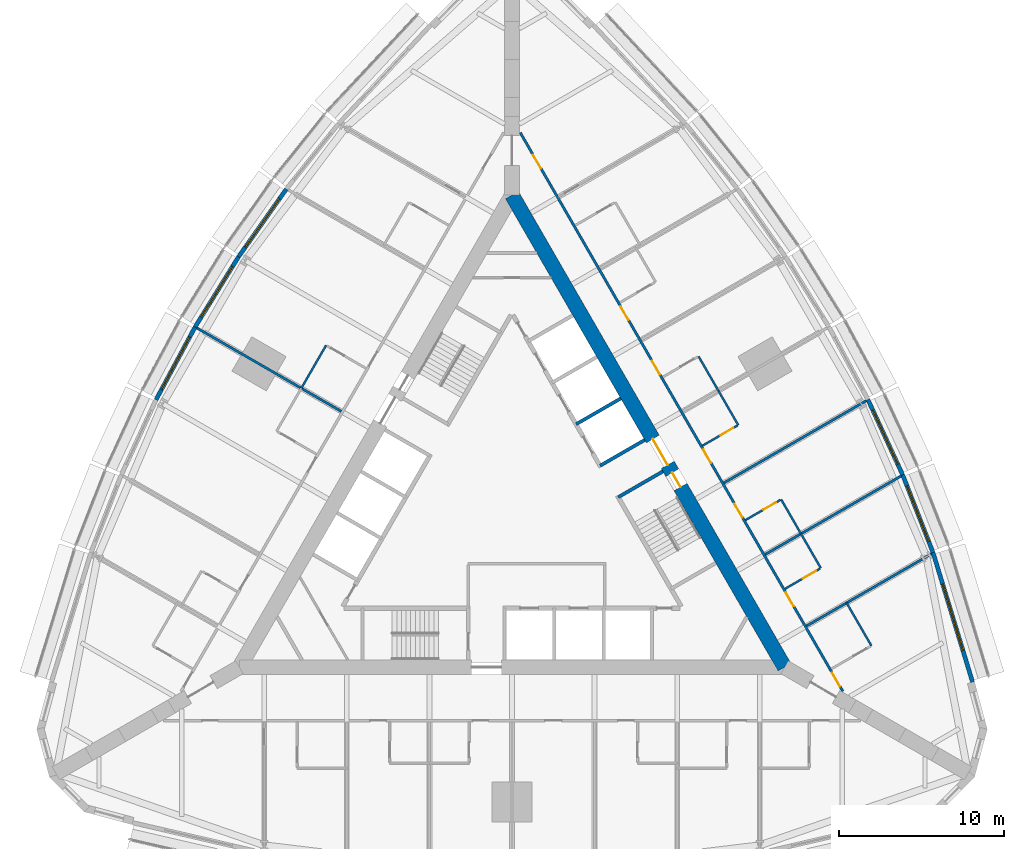
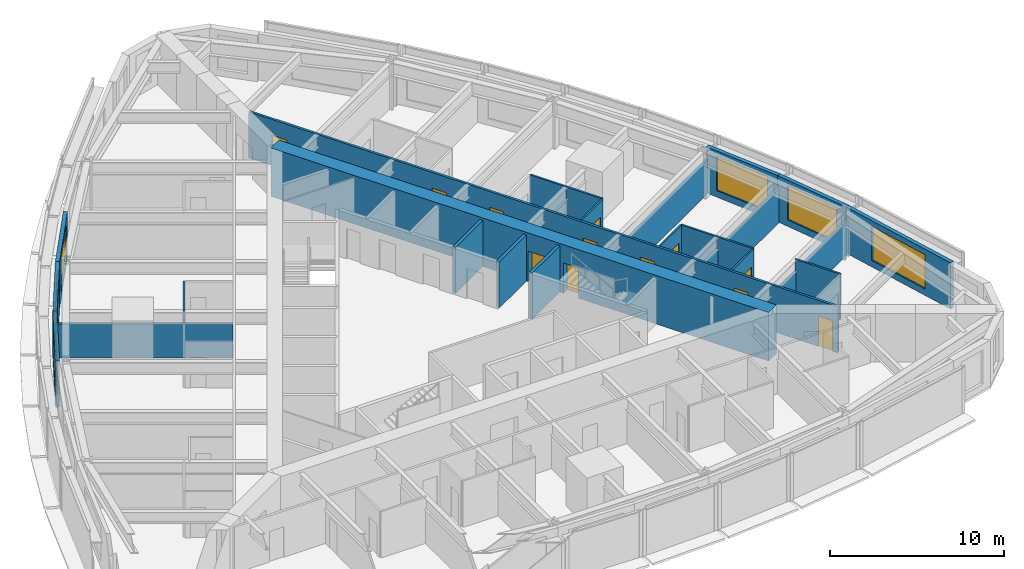
# One storey, part 11 of 14: 24 walls, 12 doors, 6 windows, 18 openings.
"""IFC4 building model written with IfcOpenShell, lengths in metres."""

from ifc_helpers import new_model, si_unit, direction, frame, frame_2d, origin, place, context, subcontext, project, spatial, rectangle, extrude, material, layer, layer_set, type_object, element, fill, save


model = new_model("IFC4")

# Units and contexts
model_context = context("Model", 3, precision=1e-05, world=origin(), true_north=direction((0.0, 1.0)))
body_context = subcontext(model_context, "Body", "Model", "MODEL_VIEW")
ifc_project = project(units=[si_unit("LENGTHUNIT", "METRE"), si_unit("AREAUNIT", "SQUARE_METRE"), si_unit("VOLUMEUNIT", "CUBIC_METRE"), si_unit("PLANEANGLEUNIT", "RADIAN"), si_unit("MASSUNIT", "GRAM", prefix="KILO")], contexts=[model_context])

# Site, building, storey
site_placement = place(None, origin())
site = spatial("IfcSite", under=ifc_project, at=site_placement, CompositionType="ELEMENT")
building_placement = place(site_placement, origin())
building = spatial("IfcBuilding", under=site, at=building_placement, Name="Trikona Tower", CompositionType="ELEMENT")
storey_placement = place(building_placement, frame((0.0, 0.0, 31.89990234375)))
storey = spatial("IfcBuildingStorey", under=building, at=storey_placement, Name="L06", CompositionType="ELEMENT", Elevation=31.89990234375)

# Walls
ifc_material_1 = material(Name="Metal stud and cement board", Category="gypsum")
ifc_layer_1 = layer(ifc_material_1, 0.1201171875)
ifc_layer_set_1 = layer_set([ifc_layer_1], Name="Bathroom wall 120")
wall_type_1 = type_object("IfcWallType", Name="Bathroom wall 120", PredefinedType="PLUMBINGWALL", material=ifc_layer_set_1)
wall_1_placement = place(storey_placement, frame((21.75341796875, -8.225341796875, 0.0), z_axis=(0.0, 0.0, 1.0), x_axis=(-0.499990139034, 0.866031096941, 0.0)))
element("IfcWall", 1, at=wall_1_placement, inside=storey, type_object=wall_type_1, Name="Bathroom wall 0607", PredefinedType="PLUMBINGWALL", context=body_context, shape_type="SweptSolid", body=[
    extrude(rectangle(XDim=3.0, YDim=0.1201171875, at=frame_2d((1.5, 0.0))), origin(), (0.0, 0.0, 1.0), 3.235107421875),
])
wall_2_placement = place(storey_placement, frame((18.693603515625, -3.525634765625, 0.0), z_axis=(0.0, 0.0, 1.0), x_axis=(-0.500033551112, 0.866006032174, 0.0)))
element("IfcWall", 2, at=wall_2_placement, inside=storey, type_object=wall_type_1, Name="Bathroom wall 0608", PredefinedType="PLUMBINGWALL", context=body_context, shape_type="SweptSolid", body=[
    extrude(rectangle(XDim=2.400146484375, YDim=0.1201171875, at=frame_2d((1.2001953125, 0.0))), origin(), (0.0, 0.0, 1.0), 3.235107421875),
])

# Wall, opening, door
wall_3_placement = place(storey_placement, frame((16.528564453125, -4.775634765625, 0.0), z_axis=(0.0, 0.0, 1.0), x_axis=(0.866023955769, 0.500002508028, 0.0)))
wall_3 = element("IfcWall", 3, at=wall_3_placement, inside=storey, type_object=wall_type_1, Name="Bathroom wall 0608", PredefinedType="PLUMBINGWALL", context=body_context, shape_type="SweptSolid", body=[
    extrude(rectangle(XDim=2.43994140625, YDim=0.1201171875, at=frame_2d((1.219970703125, 0.0))), origin(), (0.0, 0.0, 1.0), 3.235107421875),
])
opening_1_placement = place(wall_3_placement, frame((1.25, 0.0, 0.0)))
opening_1 = element("IfcOpeningElement", 4, at=opening_1_placement, cuts=wall_3, Name="Opening D2", PredefinedType="OPENING", context=body_context, shape_type="SweptSolid", body=[
    extrude(rectangle(XDim=0.89990234375, YDim=2.1298828125, at=frame_2d((0.449951171875, 1.06494140625))), frame((0.0, 0.070068359375, 0.0), z_axis=(0.0, -1.0, 0.0), x_axis=(1.0, 0.0, 0.0)), (0.0, 0.0, 1.0), 0.14013671875),
])
ifc_material_2 = material(Name="Steel door frame with solid-core timber leaf", Category="steel")
door_type_1 = type_object("IfcDoorType", Name="Bathroom door 900x2130", OperationType="SLIDING_TO_LEFT", PredefinedType="DOOR", material=ifc_material_2)
door_1_placement = place(opening_1_placement, origin())
door_1 = element("IfcDoor", 5, at=door_1_placement, inside=storey, type_object=door_type_1, Name="Bathroom door 0608", OperationType="SLIDING_TO_LEFT", OverallHeight=2.1298828125, OverallWidth=0.89990234375, PredefinedType="DOOR", context=body_context, shape_type="SweptSolid", body=[
    extrude(rectangle(XDim=0.89990234375, YDim=2.1298828125, at=frame_2d((0.449951171875, 1.06494140625))), frame((0.0, 0.02490234375, 0.0), z_axis=(0.0, -1.0, 0.0), x_axis=(1.0, 0.0, 0.0)), (0.0, 0.0, 1.0), 0.050048828125),
])
fill(opening_1, door_1)

# Wall
wall_4_placement = place(storey_placement, frame((17.493408203125, -1.447021484375, 0.0), z_axis=(0.0, 0.0, 1.0), x_axis=(-0.500001309137, 0.866024647952, 0.0)))
element("IfcWall", 6, at=wall_4_placement, inside=storey, type_object=wall_type_1, Name="Bathroom wall 0609", PredefinedType="PLUMBINGWALL", context=body_context, shape_type="SweptSolid", body=[
    extrude(rectangle(XDim=2.39990234375, YDim=0.1201171875, at=frame_2d((1.199951171875, 0.0))), origin(), (0.0, 0.0, 1.0), 3.235107421875),
])

# Wall, opening, door
wall_5_placement = place(storey_placement, frame((14.12841796875, -0.61865234375, 0.0), z_axis=(0.0, 0.0, 1.0), x_axis=(0.866048967903, 0.499959183527, 0.0)))
wall_5 = element("IfcWall", 7, at=wall_5_placement, inside=storey, type_object=wall_type_1, Name="Bathroom wall 0609", PredefinedType="PLUMBINGWALL", context=body_context, shape_type="SweptSolid", body=[
    extrude(rectangle(XDim=2.440185546875, YDim=0.1201171875, at=frame_2d((1.22021484375, 0.0))), origin(), (0.0, 0.0, 1.0), 3.235107421875),
])
opening_2_placement = place(wall_5_placement, frame((1.25, 0.0, 0.0)))
opening_2 = element("IfcOpeningElement", 8, at=opening_2_placement, cuts=wall_5, Name="Opening D2", PredefinedType="OPENING", context=body_context, shape_type="SweptSolid", body=[
    extrude(rectangle(XDim=0.89990234375, YDim=2.1298828125, at=frame_2d((0.449951171875, 1.06494140625))), frame((0.0, 0.070068359375, 0.0), z_axis=(0.0, -1.0, 0.0), x_axis=(1.0, 0.0, 0.0)), (0.0, 0.0, 1.0), 0.14013671875),
])
door_2_placement = place(opening_2_placement, origin())
door_2 = element("IfcDoor", 9, at=door_2_placement, inside=storey, type_object=door_type_1, Name="Bathroom door 0609", OperationType="SLIDING_TO_LEFT", OverallHeight=2.1298828125, OverallWidth=0.89990234375, PredefinedType="DOOR", context=body_context, shape_type="SweptSolid", body=[
    extrude(rectangle(XDim=0.89990234375, YDim=2.1298828125, at=frame_2d((0.449951171875, 1.06494140625))), frame((0.0, 0.02490234375, 0.0), z_axis=(0.0, -1.0, 0.0), x_axis=(1.0, 0.0, 0.0)), (0.0, 0.0, 1.0), 0.050048828125),
])
fill(opening_2, door_2)

# Wall
wall_6_placement = place(storey_placement, frame((13.693603515625, 5.134765625, 0.0), z_axis=(0.0, 0.0, 1.0), x_axis=(-0.500077600433, 0.865980596518, 0.0)))
element("IfcWall", 10, at=wall_6_placement, inside=storey, type_object=wall_type_1, Name="Bathroom wall 0610", PredefinedType="PLUMBINGWALL", context=body_context, shape_type="SweptSolid", body=[
    extrude(rectangle(XDim=2.39990234375, YDim=0.1201171875, at=frame_2d((1.199951171875, 0.0))), origin(), (0.0, 0.0, 1.0), 3.235107421875),
])

# Wall, opening, door
wall_7_placement = place(storey_placement, frame((11.528564453125, 3.884765625, 0.0), z_axis=(0.0, 0.0, 1.0), x_axis=(0.866023955769, 0.500002508028, 0.0)))
wall_7 = element("IfcWall", 11, at=wall_7_placement, inside=storey, type_object=wall_type_1, Name="Bathroom wall 0610", PredefinedType="PLUMBINGWALL", context=body_context, shape_type="SweptSolid", body=[
    extrude(rectangle(XDim=2.43994140625, YDim=0.1201171875, at=frame_2d((1.219970703125, 0.0))), origin(), (0.0, 0.0, 1.0), 3.235107421875),
])
opening_3_placement = place(wall_7_placement, frame((1.25, 0.0, 0.0)))
opening_3 = element("IfcOpeningElement", 12, at=opening_3_placement, cuts=wall_7, Name="Opening D2", PredefinedType="OPENING", context=body_context, shape_type="SweptSolid", body=[
    extrude(rectangle(XDim=0.89990234375, YDim=2.1298828125, at=frame_2d((0.449951171875, 1.06494140625))), frame((0.0, 0.070068359375, 0.0), z_axis=(0.0, -1.0, 0.0), x_axis=(1.0, 0.0, 0.0)), (0.0, 0.0, 1.0), 0.14013671875),
])
door_3_placement = place(opening_3_placement, origin())
door_3 = element("IfcDoor", 13, at=door_3_placement, inside=storey, type_object=door_type_1, Name="Bathroom door 0610", OperationType="SLIDING_TO_LEFT", OverallHeight=2.1298828125, OverallWidth=0.89990234375, PredefinedType="DOOR", context=body_context, shape_type="SweptSolid", body=[
    extrude(rectangle(XDim=0.89990234375, YDim=2.1298828125, at=frame_2d((0.449951171875, 1.06494140625))), frame((0.0, 0.02490234375, 0.0), z_axis=(0.0, -1.0, 0.0), x_axis=(1.0, 0.0, 0.0)), (0.0, 0.0, 1.0), 0.050048828125),
])
fill(opening_3, door_3)

# Walls
wall_8_placement = place(storey_placement, frame((12.493408203125, 7.213134765625, 0.0), z_axis=(0.0, 0.0, 1.0), x_axis=(-0.500001309137, 0.866024647952, 0.0)))
element("IfcWall", 14, at=wall_8_placement, inside=storey, type_object=wall_type_1, Name="Bathroom wall 0611", PredefinedType="PLUMBINGWALL", context=body_context, shape_type="SweptSolid", body=[
    extrude(rectangle(XDim=2.39990234375, YDim=0.1201171875, at=frame_2d((1.199951171875, 0.0))), origin(), (0.0, 0.0, 1.0), 3.235107421875),
])
wall_9_placement = place(storey_placement, frame((-11.25341796875, 9.961181640625, 0.0), z_axis=(0.0, 0.0, 1.0), x_axis=(-0.499990139034, -0.866031096941, 0.0)))
element("IfcWall", 15, at=wall_9_placement, inside=storey, type_object=wall_type_1, Name="Bathroom wall 0615", PredefinedType="PLUMBINGWALL", context=body_context, shape_type="SweptSolid", body=[
    extrude(rectangle(XDim=3.0, YDim=0.1201171875, at=frame_2d((1.5, 0.0))), origin(), (0.0, 0.0, 1.0), 3.235107421875),
])

# Wall, openings, doors
ifc_material_3 = material(Name="Concrete f'c 10000 psi", Category="concrete")
ifc_layer_2 = layer(ifc_material_3, 0.89990234375)
ifc_layer_set_2 = layer_set([ifc_layer_2], Name="Core wall 900")
wall_type_2 = type_object("IfcWallType", Name="Core wall 900", PredefinedType="SHEAR", material=ifc_layer_set_2)
wall_10_placement = place(storey_placement, frame((16.5, -9.5263671875, 0.0), z_axis=(0.0, 0.0, 1.0), x_axis=(-0.499999749417, 0.866025548458, 0.0)))
wall_10 = element("IfcWall", 16, at=wall_10_placement, inside=storey, type_object=wall_type_2, Name="Core wall B", PredefinedType="SHEAR", context=body_context, shape_type="SweptSolid", body=[
    extrude(rectangle(XDim=33.0, YDim=0.89990234375, at=frame_2d((16.5, 0.0))), origin(), (0.0, 0.0, 1.0), 3.400146484375),
])
opening_4_placement = place(wall_10_placement, frame((14.14990234375, 0.0, 0.0)))
opening_4 = element("IfcOpeningElement", 17, at=opening_4_placement, cuts=wall_10, Name="Opening D6", PredefinedType="OPENING", context=body_context, shape_type="SweptSolid", body=[
    extrude(rectangle(XDim=1.800048828125, YDim=2.1298828125, at=frame_2d((0.89990234375, 1.06494140625))), frame((0.0, 0.4599609375, 0.0), z_axis=(0.0, -1.0, 0.0), x_axis=(1.0, 0.0, 0.0)), (0.0, 0.0, 1.0), 0.919921875),
])
opening_5_placement = place(wall_10_placement, frame((12.60009765625, 0.0, 0.0)))
opening_5 = element("IfcOpeningElement", 18, at=opening_5_placement, cuts=wall_10, Name="Opening D5", PredefinedType="OPENING", context=body_context, shape_type="SweptSolid", body=[
    extrude(rectangle(XDim=1.0, YDim=2.1298828125, at=frame_2d((0.5, 1.06494140625))), frame((0.0, 0.4599609375, 0.0), z_axis=(0.0, -1.0, 0.0), x_axis=(1.0, 0.0, 0.0)), (0.0, 0.0, 1.0), 0.919921875),
])
ifc_material_4 = material(Name="Hollow metal door and frame", Category="steel")
door_type_2 = type_object("IfcDoorType", Name="Lobby door pair 1800x2130", OperationType="DOUBLE_DOOR_SINGLE_SWING", PredefinedType="DOOR", material=ifc_material_4)
door_4_placement = place(opening_4_placement, origin())
door_4 = element("IfcDoor", 19, at=door_4_placement, inside=storey, type_object=door_type_2, Name="Lift lobby door B", OperationType="DOUBLE_DOOR_SINGLE_SWING", OverallHeight=2.1298828125, OverallWidth=1.800048828125, PredefinedType="DOOR", context=body_context, shape_type="SweptSolid", body=[
    extrude(rectangle(XDim=1.800048828125, YDim=2.1298828125, at=frame_2d((0.89990234375, 1.06494140625))), frame((0.0, 0.02490234375, 0.0), z_axis=(0.0, -1.0, 0.0), x_axis=(1.0, 0.0, 0.0)), (0.0, 0.0, 1.0), 0.050048828125),
])
fill(opening_4, door_4)
ifc_material_5 = material(Name="Hollow metal door and frame", Category="steel")
door_type_3 = type_object("IfcDoorType", Name="Stair door 1000x2130", OperationType="SINGLE_SWING_LEFT", PredefinedType="DOOR", material=ifc_material_5)
door_5_placement = place(opening_5_placement, origin())
door_5 = element("IfcDoor", 20, at=door_5_placement, inside=storey, type_object=door_type_3, Name="Stair B door", OperationType="SINGLE_SWING_RIGHT", OverallHeight=2.1298828125, OverallWidth=1.0, PredefinedType="DOOR", context=body_context, shape_type="SweptSolid", body=[
    extrude(rectangle(XDim=1.0, YDim=2.1298828125, at=frame_2d((0.5, 1.06494140625))), frame((0.0, 0.02490234375, 0.0), z_axis=(0.0, -1.0, 0.0), x_axis=(1.0, 0.0, 0.0)), (0.0, 0.0, 1.0), 0.050048828125),
])
fill(opening_5, door_5)

ifc_material_6 = material(Name="Metal stud and gypsum board, 1-hour", Category="gypsum")
ifc_layer_3 = layer(ifc_material_6, 0.14990234375)
ifc_layer_set_3 = layer_set([ifc_layer_3], Name="Corridor wall 150")
wall_type_3 = type_object("IfcWallType", Name="Corridor wall 150", PredefinedType="PARTITIONING", material=ifc_layer_set_3)
wall_11_placement = place(storey_placement, frame((20.027099609375, -10.9853515625, 0.0), z_axis=(0.0, 0.0, 1.0), x_axis=(-0.500001677587, 0.866024435227, 0.0)))
wall_11 = element("IfcWall", 21, at=wall_11_placement, inside=storey, type_object=wall_type_3, Name="Corridor wall L06-2", PredefinedType="PARTITIONING", context=body_context, shape_type="SweptSolid", body=[
    extrude(rectangle(XDim=39.053955078125, YDim=0.14990234375, at=frame_2d((19.52685546875, 0.0))), origin(), (0.0, 0.0, 1.0), 3.235107421875),
])
opening_6_placement = place(wall_11_placement, frame((0.35205078125, 0.0, 0.0)))
opening_6 = element("IfcOpeningElement", 22, at=opening_6_placement, cuts=wall_11, Name="Opening D1", PredefinedType="OPENING", context=body_context, shape_type="SweptSolid", body=[
    extrude(rectangle(XDim=0.949951171875, YDim=2.1298828125, at=frame_2d((0.47509765625, 1.06494140625))), frame((0.0, 0.0849609375, 0.0), z_axis=(0.0, -1.0, 0.0), x_axis=(1.0, 0.0, 0.0)), (0.0, 0.0, 1.0), 0.169921875),
])
opening_7_placement = place(wall_11_placement, frame((5.951904296875, 0.0, 0.0)))
opening_7 = element("IfcOpeningElement", 23, at=opening_7_placement, cuts=wall_11, Name="Opening D1", PredefinedType="OPENING", context=body_context, shape_type="SweptSolid", body=[
    extrude(rectangle(XDim=0.949951171875, YDim=2.1298828125, at=frame_2d((0.47509765625, 1.06494140625))), frame((0.0, 0.0849609375, 0.0), z_axis=(0.0, -1.0, 0.0), x_axis=(1.0, 0.0, 0.0)), (0.0, 0.0, 1.0), 0.169921875),
])
opening_8_placement = place(wall_11_placement, frame((12.152099609375, 0.0, 0.0)))
opening_8 = element("IfcOpeningElement", 24, at=opening_8_placement, cuts=wall_11, Name="Opening D1", PredefinedType="OPENING", context=body_context, shape_type="SweptSolid", body=[
    extrude(rectangle(XDim=0.949951171875, YDim=2.1298828125, at=frame_2d((0.47509765625, 1.06494140625))), frame((0.0, 0.0849609375, 0.0), z_axis=(0.0, -1.0, 0.0), x_axis=(1.0, 0.0, 0.0)), (0.0, 0.0, 1.0), 0.169921875),
])
opening_9_placement = place(wall_11_placement, frame((15.951904296875, 0.0, 0.0)))
opening_9 = element("IfcOpeningElement", 25, at=opening_9_placement, cuts=wall_11, Name="Opening D1", PredefinedType="OPENING", context=body_context, shape_type="SweptSolid", body=[
    extrude(rectangle(XDim=0.949951171875, YDim=2.1298828125, at=frame_2d((0.47509765625, 1.06494140625))), frame((0.0, 0.0849609375, 0.0), z_axis=(0.0, -1.0, 0.0), x_axis=(1.0, 0.0, 0.0)), (0.0, 0.0, 1.0), 0.169921875),
])
opening_10_placement = place(wall_11_placement, frame((22.152099609375, 0.0, 0.0)))
opening_10 = element("IfcOpeningElement", 26, at=opening_10_placement, cuts=wall_11, Name="Opening D1", PredefinedType="OPENING", context=body_context, shape_type="SweptSolid", body=[
    extrude(rectangle(XDim=0.949951171875, YDim=2.1298828125, at=frame_2d((0.47509765625, 1.06494140625))), frame((0.0, 0.0849609375, 0.0), z_axis=(0.0, -1.0, 0.0), x_axis=(1.0, 0.0, 0.0)), (0.0, 0.0, 1.0), 0.169921875),
])
opening_11_placement = place(wall_11_placement, frame((25.951904296875, 0.0, 0.0)))
opening_11 = element("IfcOpeningElement", 27, at=opening_11_placement, cuts=wall_11, Name="Opening D1", PredefinedType="OPENING", context=body_context, shape_type="SweptSolid", body=[
    extrude(rectangle(XDim=0.949951171875, YDim=2.1298828125, at=frame_2d((0.47509765625, 1.06494140625))), frame((0.0, 0.0849609375, 0.0), z_axis=(0.0, -1.0, 0.0), x_axis=(1.0, 0.0, 0.0)), (0.0, 0.0, 1.0), 0.169921875),
])
opening_12_placement = place(wall_11_placement, frame((36.545654296875, 0.0, 0.0)))
opening_12 = element("IfcOpeningElement", 28, at=opening_12_placement, cuts=wall_11, Name="Opening D1", PredefinedType="OPENING", context=body_context, shape_type="SweptSolid", body=[
    extrude(rectangle(XDim=0.949951171875, YDim=2.1298828125, at=frame_2d((0.47509765625, 1.06494140625))), frame((0.0, 0.0849609375, 0.0), z_axis=(0.0, -1.0, 0.0), x_axis=(1.0, 0.0, 0.0)), (0.0, 0.0, 1.0), 0.169921875),
])
ifc_material_7 = material(Name="Steel door frame with solid-core timber leaf", Category="steel")
door_type_4 = type_object("IfcDoorType", Name="Guest room door 950x2130", OperationType="SINGLE_SWING_LEFT", PredefinedType="DOOR", material=ifc_material_7)
door_6_placement = place(opening_6_placement, origin())
door_6 = element("IfcDoor", 29, at=door_6_placement, inside=storey, type_object=door_type_4, Name="Room door 0607", OperationType="SINGLE_SWING_LEFT", OverallHeight=2.1298828125, OverallWidth=0.949951171875, PredefinedType="DOOR", context=body_context, shape_type="SweptSolid", body=[
    extrude(rectangle(XDim=0.949951171875, YDim=2.1298828125, at=frame_2d((0.47509765625, 1.06494140625))), frame((0.0, 0.02490234375, 0.0), z_axis=(0.0, -1.0, 0.0), x_axis=(1.0, 0.0, 0.0)), (0.0, 0.0, 1.0), 0.050048828125),
])
fill(opening_6, door_6)
door_7_placement = place(opening_7_placement, origin())
door_7 = element("IfcDoor", 30, at=door_7_placement, inside=storey, type_object=door_type_4, Name="Room door 0608", OperationType="SINGLE_SWING_RIGHT", OverallHeight=2.1298828125, OverallWidth=0.949951171875, PredefinedType="DOOR", context=body_context, shape_type="SweptSolid", body=[
    extrude(rectangle(XDim=0.949951171875, YDim=2.1298828125, at=frame_2d((0.47509765625, 1.06494140625))), frame((0.0, 0.02490234375, 0.0), z_axis=(0.0, -1.0, 0.0), x_axis=(1.0, 0.0, 0.0)), (0.0, 0.0, 1.0), 0.050048828125),
])
fill(opening_7, door_7)
door_8_placement = place(opening_8_placement, origin())
door_8 = element("IfcDoor", 31, at=door_8_placement, inside=storey, type_object=door_type_4, Name="Room door 0609", OperationType="SINGLE_SWING_LEFT", OverallHeight=2.1298828125, OverallWidth=0.949951171875, PredefinedType="DOOR", context=body_context, shape_type="SweptSolid", body=[
    extrude(rectangle(XDim=0.949951171875, YDim=2.1298828125, at=frame_2d((0.47509765625, 1.06494140625))), frame((0.0, 0.02490234375, 0.0), z_axis=(0.0, -1.0, 0.0), x_axis=(1.0, 0.0, 0.0)), (0.0, 0.0, 1.0), 0.050048828125),
])
fill(opening_8, door_8)
door_9_placement = place(opening_9_placement, origin())
door_9 = element("IfcDoor", 32, at=door_9_placement, inside=storey, type_object=door_type_4, Name="Room door 0610", OperationType="SINGLE_SWING_RIGHT", OverallHeight=2.1298828125, OverallWidth=0.949951171875, PredefinedType="DOOR", context=body_context, shape_type="SweptSolid", body=[
    extrude(rectangle(XDim=0.949951171875, YDim=2.1298828125, at=frame_2d((0.47509765625, 1.06494140625))), frame((0.0, 0.02490234375, 0.0), z_axis=(0.0, -1.0, 0.0), x_axis=(1.0, 0.0, 0.0)), (0.0, 0.0, 1.0), 0.050048828125),
])
fill(opening_9, door_9)
door_10_placement = place(opening_10_placement, origin())
door_10 = element("IfcDoor", 33, at=door_10_placement, inside=storey, type_object=door_type_4, Name="Room door 0611", OperationType="SINGLE_SWING_LEFT", OverallHeight=2.1298828125, OverallWidth=0.949951171875, PredefinedType="DOOR", context=body_context, shape_type="SweptSolid", body=[
    extrude(rectangle(XDim=0.949951171875, YDim=2.1298828125, at=frame_2d((0.47509765625, 1.06494140625))), frame((0.0, 0.02490234375, 0.0), z_axis=(0.0, -1.0, 0.0), x_axis=(1.0, 0.0, 0.0)), (0.0, 0.0, 1.0), 0.050048828125),
])
fill(opening_10, door_10)
door_11_placement = place(opening_11_placement, origin())
door_11 = element("IfcDoor", 34, at=door_11_placement, inside=storey, type_object=door_type_4, Name="Room door 0612", OperationType="SINGLE_SWING_RIGHT", OverallHeight=2.1298828125, OverallWidth=0.949951171875, PredefinedType="DOOR", context=body_context, shape_type="SweptSolid", body=[
    extrude(rectangle(XDim=0.949951171875, YDim=2.1298828125, at=frame_2d((0.47509765625, 1.06494140625))), frame((0.0, 0.02490234375, 0.0), z_axis=(0.0, -1.0, 0.0), x_axis=(1.0, 0.0, 0.0)), (0.0, 0.0, 1.0), 0.050048828125),
])
fill(opening_11, door_11)
door_12_placement = place(opening_12_placement, origin())
door_12 = element("IfcDoor", 35, at=door_12_placement, inside=storey, type_object=door_type_4, Name="Room door 0613", OperationType="SINGLE_SWING_RIGHT", OverallHeight=2.1298828125, OverallWidth=0.949951171875, PredefinedType="DOOR", context=body_context, shape_type="SweptSolid", body=[
    extrude(rectangle(XDim=0.949951171875, YDim=2.1298828125, at=frame_2d((0.47509765625, 1.06494140625))), frame((0.0, 0.02490234375, 0.0), z_axis=(0.0, -1.0, 0.0), x_axis=(1.0, 0.0, 0.0)), (0.0, 0.0, 1.0), 0.050048828125),
])
fill(opening_12, door_12)

# Wall, opening, window
ifc_material_8 = material(Name="Insulated precast concrete spandrel panel", Category="concrete")
ifc_layer_4 = layer(ifc_material_8, 0.25)
ifc_layer_set_4 = layer_set([ifc_layer_4], Name="Inner skin wall 250")
wall_type_4 = type_object("IfcWallType", Name="Inner skin wall 250", PredefinedType="STANDARD", material=ifc_layer_set_4)
wall_12_placement = place(storey_placement, frame((27.88037109375, -10.4287109375, 0.0), z_axis=(0.0, 0.0, 1.0), x_axis=(-0.2919790669, 0.956424709265, 0.0)))
wall_12 = element("IfcWall", 36, at=wall_12_placement, inside=storey, type_object=wall_type_4, Name="External wall L06-12", PredefinedType="STANDARD", context=body_context, shape_type="SweptSolid", body=[
    extrude(rectangle(XDim=8.211181640625, YDim=0.25, at=frame_2d((4.10546875, 0.0))), origin(), (0.0, 0.0, 1.0), 3.235107421875),
])
opening_13_placement = place(wall_12_placement, frame((2.005615234375, 0.0, 0.449951171875)))
opening_13 = element("IfcOpeningElement", 37, at=opening_13_placement, cuts=wall_12, Name="Opening W4224", PredefinedType="OPENING", context=body_context, shape_type="SweptSolid", body=[
    extrude(rectangle(XDim=4.199951171875, YDim=2.39990234375, at=frame_2d((2.10009765625, 1.199951171875))), frame((0.0, 0.135009765625, 0.0), z_axis=(0.0, -1.0, 0.0), x_axis=(1.0, 0.0, 0.0)), (0.0, 0.0, 1.0), 0.27001953125),
])
ifc_material_9 = material(Name="Aluminium-framed double glazing", Category="aluminium")
window_type_1 = type_object("IfcWindowType", Name="Window 4200x2400", PartitioningType="SINGLE_PANEL", PredefinedType="WINDOW", material=ifc_material_9)
window_1_placement = place(opening_13_placement, origin())
window_1 = element("IfcWindow", 38, at=window_1_placement, inside=storey, type_object=window_type_1, Name="Window 0607", OverallHeight=2.39990234375, OverallWidth=4.199951171875, PartitioningType="SINGLE_PANEL", PredefinedType="WINDOW", context=body_context, shape_type="SweptSolid", body=[
    extrude(rectangle(XDim=4.199951171875, YDim=2.39990234375, at=frame_2d((2.10009765625, 1.199951171875))), frame((0.0, 0.030029296875, 0.0), z_axis=(0.0, -1.0, 0.0), x_axis=(1.0, 0.0, 0.0)), (0.0, 0.0, 1.0), 0.06005859375),
])
fill(opening_13, window_1)

wall_13_placement = place(storey_placement, frame((25.486083984375, -2.58447265625, 0.0), z_axis=(0.0, 0.0, 1.0), x_axis=(-0.364013463868, 0.931393685894, 0.0)))
wall_13 = element("IfcWall", 39, at=wall_13_placement, inside=storey, type_object=wall_type_4, Name="External wall L06-13", PredefinedType="STANDARD", context=body_context, shape_type="SweptSolid", body=[
    extrude(rectangle(XDim=5.0576171875, YDim=0.25, at=frame_2d((2.52880859375, 0.0))), origin(), (0.0, 0.0, 1.0), 3.235107421875),
])
opening_14_placement = place(wall_13_placement, frame((0.728759765625, 0.0, 0.449951171875)))
opening_14 = element("IfcOpeningElement", 40, at=opening_14_placement, cuts=wall_13, Name="Opening W3624", PredefinedType="OPENING", context=body_context, shape_type="SweptSolid", body=[
    extrude(rectangle(XDim=3.60009765625, YDim=2.39990234375, at=frame_2d((1.800048828125, 1.199951171875))), frame((0.0, 0.135009765625, 0.0), z_axis=(0.0, -1.0, 0.0), x_axis=(1.0, 0.0, 0.0)), (0.0, 0.0, 1.0), 0.27001953125),
])
ifc_material_10 = material(Name="Aluminium-framed double glazing", Category="aluminium")
window_type_2 = type_object("IfcWindowType", Name="Window 3600x2400", PartitioningType="SINGLE_PANEL", PredefinedType="WINDOW", material=ifc_material_10)
window_2_placement = place(opening_14_placement, origin())
window_2 = element("IfcWindow", 41, at=window_2_placement, inside=storey, type_object=window_type_2, Name="Window 0608", OverallHeight=2.39990234375, OverallWidth=3.60009765625, PartitioningType="SINGLE_PANEL", PredefinedType="WINDOW", context=body_context, shape_type="SweptSolid", body=[
    extrude(rectangle(XDim=3.60009765625, YDim=2.39990234375, at=frame_2d((1.800048828125, 1.199951171875))), frame((0.0, 0.030029296875, 0.0), z_axis=(0.0, -1.0, 0.0), x_axis=(1.0, 0.0, 0.0)), (0.0, 0.0, 1.0), 0.06005859375),
])
fill(opening_14, window_2)

wall_14_placement = place(storey_placement, frame((23.64794921875, 2.119384765625, 0.0), z_axis=(0.0, 0.0, 1.0), x_axis=(-0.419203100754, 0.907892482796, 0.0)))
wall_14 = element("IfcWall", 42, at=wall_14_placement, inside=storey, type_object=wall_type_4, Name="External wall L06-14", PredefinedType="STANDARD", context=body_context, shape_type="SweptSolid", body=[
    extrude(rectangle(XDim=5.020751953125, YDim=0.25, at=frame_2d((2.51025390625, 0.0))), origin(), (0.0, 0.0, 1.0), 3.235107421875),
])
opening_15_placement = place(wall_14_placement, frame((0.71044921875, 0.0, 0.449951171875)))
opening_15 = element("IfcOpeningElement", 43, at=opening_15_placement, cuts=wall_14, Name="Opening W3624", PredefinedType="OPENING", context=body_context, shape_type="SweptSolid", body=[
    extrude(rectangle(XDim=3.60009765625, YDim=2.39990234375, at=frame_2d((1.800048828125, 1.199951171875))), frame((0.0, 0.135009765625, 0.0), z_axis=(0.0, -1.0, 0.0), x_axis=(1.0, 0.0, 0.0)), (0.0, 0.0, 1.0), 0.27001953125),
])
window_3_placement = place(opening_15_placement, origin())
window_3 = element("IfcWindow", 44, at=window_3_placement, inside=storey, type_object=window_type_2, Name="Window 0609", OverallHeight=2.39990234375, OverallWidth=3.60009765625, PartitioningType="SINGLE_PANEL", PredefinedType="WINDOW", context=body_context, shape_type="SweptSolid", body=[
    extrude(rectangle(XDim=3.60009765625, YDim=2.39990234375, at=frame_2d((1.800048828125, 1.199951171875))), frame((0.0, 0.030029296875, 0.0), z_axis=(0.0, -1.0, 0.0), x_axis=(1.0, 0.0, 0.0)), (0.0, 0.0, 1.0), 0.06005859375),
])
fill(opening_15, window_3)

wall_15_placement = place(storey_placement, frame((-13.659423828125, 19.420166015625, 0.0), z_axis=(0.0, 0.0, 1.0), x_axis=(-0.5766431066, -0.81699616132, 0.0)))
wall_15 = element("IfcWall", 45, at=wall_15_placement, inside=storey, type_object=wall_type_4, Name="External wall L06-26", PredefinedType="STANDARD", context=body_context, shape_type="SweptSolid", body=[
    extrude(rectangle(XDim=5.02099609375, YDim=0.25, at=frame_2d((2.510498046875, 0.0))), origin(), (0.0, 0.0, 1.0), 3.235107421875),
])
opening_16_placement = place(wall_15_placement, frame((0.71044921875, 0.0, 0.449951171875)))
opening_16 = element("IfcOpeningElement", 46, at=opening_16_placement, cuts=wall_15, Name="Opening W3624", PredefinedType="OPENING", context=body_context, shape_type="SweptSolid", body=[
    extrude(rectangle(XDim=3.60009765625, YDim=2.39990234375, at=frame_2d((1.800048828125, 1.199951171875))), frame((0.0, 0.135009765625, 0.0), z_axis=(0.0, -1.0, 0.0), x_axis=(1.0, 0.0, 0.0)), (0.0, 0.0, 1.0), 0.27001953125),
])
window_4_placement = place(opening_16_placement, origin())
window_4 = element("IfcWindow", 47, at=window_4_placement, inside=storey, type_object=window_type_2, Name="Window 0615", OverallHeight=2.39990234375, OverallWidth=3.60009765625, PartitioningType="SINGLE_PANEL", PredefinedType="WINDOW", context=body_context, shape_type="SweptSolid", body=[
    extrude(rectangle(XDim=3.60009765625, YDim=2.39990234375, at=frame_2d((1.800048828125, 1.199951171875))), frame((0.0, 0.030029296875, 0.0), z_axis=(0.0, -1.0, 0.0), x_axis=(1.0, 0.0, 0.0)), (0.0, 0.0, 1.0), 0.06005859375),
])
fill(opening_16, window_4)

wall_16_placement = place(storey_placement, frame((-16.550537109375, 15.324462890625, 0.0), z_axis=(0.0, 0.0, 1.0), x_axis=(-0.526132807704, -0.850402415717, 0.0)))
wall_16 = element("IfcWall", 48, at=wall_16_placement, inside=storey, type_object=wall_type_4, Name="External wall L06-27", PredefinedType="STANDARD", context=body_context, shape_type="SweptSolid", body=[
    extrude(rectangle(XDim=5.002197265625, YDim=0.25, at=frame_2d((2.5009765625, 0.0))), origin(), (0.0, 0.0, 1.0), 3.235107421875),
])
opening_17_placement = place(wall_16_placement, frame((0.701171875, 0.0, 0.449951171875)))
opening_17 = element("IfcOpeningElement", 49, at=opening_17_placement, cuts=wall_16, Name="Opening W3624", PredefinedType="OPENING", context=body_context, shape_type="SweptSolid", body=[
    extrude(rectangle(XDim=3.60009765625, YDim=2.39990234375, at=frame_2d((1.800048828125, 1.199951171875))), frame((0.0, 0.135009765625, 0.0), z_axis=(0.0, -1.0, 0.0), x_axis=(1.0, 0.0, 0.0)), (0.0, 0.0, 1.0), 0.27001953125),
])
window_5_placement = place(opening_17_placement, origin())
window_5 = element("IfcWindow", 50, at=window_5_placement, inside=storey, type_object=window_type_2, Name="Window 0615", OverallHeight=2.39990234375, OverallWidth=3.60009765625, PartitioningType="SINGLE_PANEL", PredefinedType="WINDOW", context=body_context, shape_type="SweptSolid", body=[
    extrude(rectangle(XDim=3.60009765625, YDim=2.39990234375, at=frame_2d((1.800048828125, 1.199951171875))), frame((0.0, 0.030029296875, 0.0), z_axis=(0.0, -1.0, 0.0), x_axis=(1.0, 0.0, 0.0)), (0.0, 0.0, 1.0), 0.06005859375),
])
fill(opening_17, window_5)

wall_17_placement = place(storey_placement, frame((-19.178466796875, 11.0771484375, 0.0), z_axis=(0.0, 0.0, 1.0), x_axis=(-0.473412820489, -0.880840678782, 0.0)))
wall_17 = element("IfcWall", 51, at=wall_17_placement, inside=storey, type_object=wall_type_4, Name="External wall L06-28", PredefinedType="STANDARD", context=body_context, shape_type="SweptSolid", body=[
    extrude(rectangle(XDim=5.00244140625, YDim=0.25, at=frame_2d((2.501220703125, 0.0))), origin(), (0.0, 0.0, 1.0), 3.235107421875),
])
opening_18_placement = place(wall_17_placement, frame((0.701171875, 0.0, 0.449951171875)))
opening_18 = element("IfcOpeningElement", 52, at=opening_18_placement, cuts=wall_17, Name="Opening W3624", PredefinedType="OPENING", context=body_context, shape_type="SweptSolid", body=[
    extrude(rectangle(XDim=3.60009765625, YDim=2.39990234375, at=frame_2d((1.800048828125, 1.199951171875))), frame((0.0, 0.135009765625, 0.0), z_axis=(0.0, -1.0, 0.0), x_axis=(1.0, 0.0, 0.0)), (0.0, 0.0, 1.0), 0.27001953125),
])
window_6_placement = place(opening_18_placement, origin())
window_6 = element("IfcWindow", 53, at=window_6_placement, inside=storey, type_object=window_type_2, Name="Window 0616", OverallHeight=2.39990234375, OverallWidth=3.60009765625, PartitioningType="SINGLE_PANEL", PredefinedType="WINDOW", context=body_context, shape_type="SweptSolid", body=[
    extrude(rectangle(XDim=3.60009765625, YDim=2.39990234375, at=frame_2d((1.800048828125, 1.199951171875))), frame((0.0, 0.030029296875, 0.0), z_axis=(0.0, -1.0, 0.0), x_axis=(1.0, 0.0, 0.0)), (0.0, 0.0, 1.0), 0.06005859375),
])
fill(opening_18, window_6)

# Walls
ifc_material_11 = material(Name="Metal stud and gypsum board, 1-hour acoustic", Category="gypsum")
ifc_layer_5 = layer(ifc_material_11, 0.14990234375)
ifc_layer_set_5 = layer_set([ifc_layer_5], Name="Party wall 150")
wall_type_5 = type_object("IfcWallType", Name="Party wall 150", PredefinedType="PARTITIONING", material=ifc_layer_set_5)
wall_18_placement = place(storey_placement, frame((17.82861328125, -7.027099609375, 0.0), z_axis=(0.0, 0.0, 1.0), x_axis=(0.866032659912, 0.499987431809, 0.0)))
element("IfcWall", 54, at=wall_18_placement, inside=storey, type_object=wall_type_5, Name="Partition L06 F2 u-15", PredefinedType="PARTITIONING", context=body_context, shape_type="SweptSolid", body=[
    extrude(rectangle(XDim=8.719970703125, YDim=0.14990234375, at=frame_2d((4.35986328125, 0.0))), origin(), (0.0, 0.0, 1.0), 2.389404296875),
])
wall_19_placement = place(storey_placement, frame((15.32861328125, -2.697021484375, 0.0), z_axis=(0.0, 0.0, 1.0), x_axis=(0.866018409083, 0.500012114982, 0.0)))
element("IfcWall", 55, at=wall_19_placement, inside=storey, type_object=wall_type_5, Name="Partition L06 F2 u-10", PredefinedType="PARTITIONING", context=body_context, shape_type="SweptSolid", body=[
    extrude(rectangle(XDim=9.484619140625, YDim=0.14990234375, at=frame_2d((4.7421875, 0.0))), origin(), (0.0, 0.0, 1.0), 2.389404296875),
])
wall_20_placement = place(storey_placement, frame((12.82861328125, 1.633056640625, 0.0), z_axis=(0.0, 0.0, 1.0), x_axis=(0.866026934769, 0.499997348248, 0.0)))
element("IfcWall", 56, at=wall_20_placement, inside=storey, type_object=wall_type_5, Name="Partition L06 F2 u-5", PredefinedType="PARTITIONING", context=body_context, shape_type="SweptSolid", body=[
    extrude(rectangle(XDim=9.94287109375, YDim=0.14990234375, at=frame_2d((4.971435546875, 0.0))), origin(), (0.0, 0.0, 1.0), 2.389404296875),
])
wall_21_placement = place(storey_placement, frame((-10.32861328125, 5.963134765625, 0.0), z_axis=(0.0, 0.0, 1.0), x_axis=(-0.866021688545, 0.500006434927, 0.0)))
element("IfcWall", 57, at=wall_21_placement, inside=storey, type_object=wall_type_5, Name="Partition L06 F3 u-5.10703e-15", PredefinedType="PARTITIONING", context=body_context, shape_type="SweptSolid", body=[
    extrude(rectangle(XDim=10.095947265625, YDim=0.14990234375, at=frame_2d((5.0478515625, 0.0))), origin(), (0.0, 0.0, 1.0), 2.389404296875),
])
ifc_material_12 = material(Name="Concrete f'c 8000 psi", Category="concrete")
ifc_layer_6 = layer(ifc_material_12, 0.199951171875)
ifc_layer_set_6 = layer_set([ifc_layer_6], Name="Shaft wall 200")
wall_type_6 = type_object("IfcWallType", Name="Shaft wall 200", PredefinedType="SOLIDWALL", material=ifc_layer_set_6)
for number, where, z_axis, x_axis, name in (
    (58, (5.3291015625, 2.672607421875, 0.0), (0.0, 0.0, 1.0), (0.866022959057, 0.500004234368, 0.0), "Shaft wall B3"),
    (59, (3.87890625, 5.18408203125, 0.0), (0.0, 0.0, 1.0), (0.866022959057, 0.500004234368, 0.0), "Shaft wall B4"),
):
    element("IfcWall", number, at=place(storey_placement, frame(where, z_axis=z_axis, x_axis=x_axis)), inside=storey, type_object=wall_type_6, Name=name, PredefinedType="SOLIDWALL", context=body_context, shape_type="SweptSolid", body=[
        extrude(rectangle(XDim=3.125, YDim=0.199951171875, at=frame_2d((1.5625, 0.0))), origin(), (0.0, 0.0, 1.0), 3.235107421875),
    ])
ifc_material_13 = material(Name="Concrete f'c 8000 psi", Category="concrete")
ifc_layer_7 = layer(ifc_material_13, 0.199951171875)
ifc_layer_set_7 = layer_set([ifc_layer_7], Name="Shaft wall 200 load-bearing")
wall_type_7 = type_object("IfcWallType", Name="Shaft wall 200 load-bearing", PredefinedType="SOLIDWALL", material=ifc_layer_set_7)
wall_22_placement = place(storey_placement, frame((6.428955078125, 0.767333984375, 0.0), z_axis=(0.0, 0.0, 1.0), x_axis=(0.866022959057, 0.500004234368, 0.0)))
element("IfcWall", 60, at=wall_22_placement, inside=storey, type_object=wall_type_7, Name="Shaft wall B2", PredefinedType="SOLIDWALL", context=body_context, shape_type="SweptSolid", body=[
    extrude(rectangle(XDim=3.125, YDim=0.199951171875, at=frame_2d((1.5625, 0.0))), origin(), (0.0, 0.0, 1.0), 3.235107421875),
])

save(model, "model.ifc")
